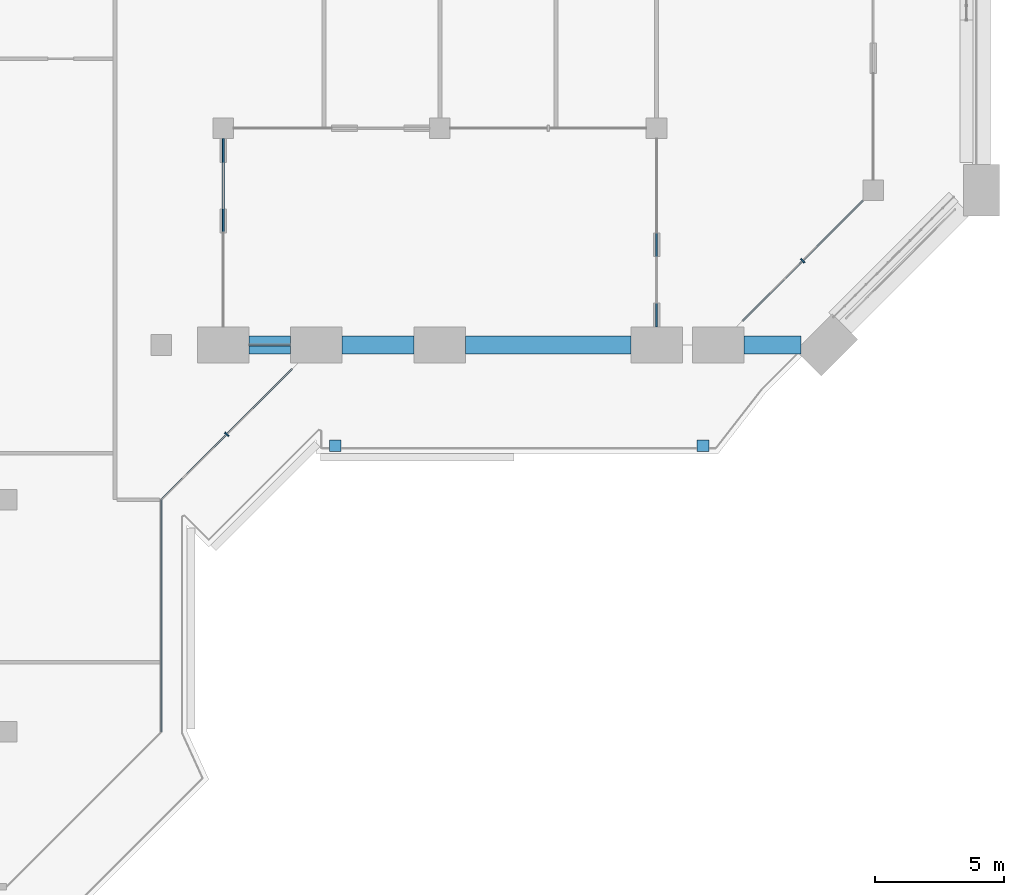
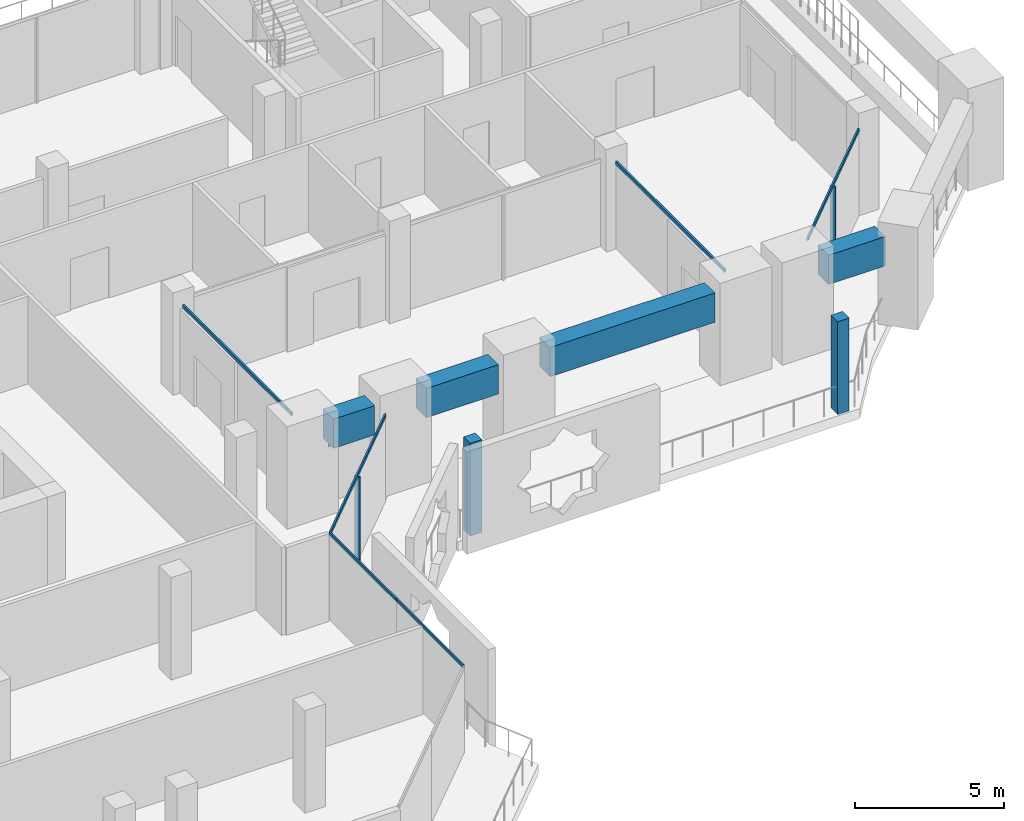
# One storey, part 4 of 20: 11 members, 4 beams, 7 elements without a shape of their own.
"""IFC4 building model written with IfcOpenShell, lengths in metres."""

from ifc_helpers import new_model, si_unit, direction, frame, origin, origin_2d, place, context, subcontext, project, spatial, rectangle, extrude, material, layer, layer_set, material_profile, profile_set, type_object, element, aggregate, save


model = new_model("IFC4")

# Units and contexts
model_context = context("Model", 3, precision=1e-05, world=origin(), true_north=direction((0.0, 1.0)))
body_context = subcontext(model_context, "Body", "Model", "MODEL_VIEW")
ifc_project = project(units=[si_unit("LENGTHUNIT", "METRE"), si_unit("AREAUNIT", "SQUARE_METRE"), si_unit("VOLUMEUNIT", "CUBIC_METRE"), si_unit("PLANEANGLEUNIT", "RADIAN"), si_unit("MASSUNIT", "GRAM", prefix="KILO")], contexts=[model_context])

# Site, building, storey
site_placement = place(None, origin())
site = spatial("IfcSite", under=ifc_project, at=site_placement, CompositionType="ELEMENT")
building_placement = place(site_placement, origin())
building = spatial("IfcBuilding", under=site, at=building_placement, Name="Kawkab Arch Medical Tower", CompositionType="ELEMENT")
storey_placement = place(building_placement, frame((0.0, 0.0, 277.60009765625)))
storey = spatial("IfcBuildingStorey", under=building, at=storey_placement, Name="L64", CompositionType="ELEMENT", Elevation=277.60009765625)

# Curtain wall, members
ifc_material_1 = material(Name="Bronze anodised aluminium curtain wall frame", Category="aluminium")
ifc_layer_1 = layer(ifc_material_1, 0.159912109375)
ifc_layer_set_1 = layer_set([ifc_layer_1], Name="Bronze anodised aluminium curtain wall frame")
curtain_wall_type_1 = type_object("IfcCurtainWallType", Name="CW1 ward curtain wall", PredefinedType="NOTDEFINED", material=ifc_layer_set_1)
placement = place(storey_placement, origin())
curtain_wall_1 = element("IfcCurtainWall", 1, at=placement, inside=storey, type_object=curtain_wall_type_1, Name="CW1 Ward curtain wall R16", PredefinedType="NOTDEFINED")
ifc_material_2 = material(Name="Bronze anodised aluminium curtain wall frame", Category="aluminium")
ifc_material_profile_1 = material_profile(ifc_material_2, rectangle(XDim=0.06005859375, YDim=0.1201171875, at=origin_2d()), Name="AL 60x120")
ifc_profile_set_1 = profile_set([ifc_material_profile_1], Name="Bronze anodised aluminium curtain wall frame")
member_type_1 = type_object("IfcMemberType", Name="CW1 transom 120 x 60", PredefinedType="USERDEFINED", material=ifc_profile_set_1)
member_1_placement = place(storey_placement, frame((31.199951171875, -40.199951171875, 3.539794921875), z_axis=(0.0, 1.0, 0.0), x_axis=(-1.0, 0.0, 0.0)))
member_1 = element("IfcMember", 2, at=member_1_placement, type_object=member_type_1, Name="CW1 transom 1", ObjectType="TRANSOM", PredefinedType="USERDEFINED", context=body_context, shape_type="SweptSolid", body=[
    extrude(rectangle(XDim=0.06005859375, YDim=0.1201171875, at=origin_2d()), origin(), (0.0, 0.0, 1.0), 4.5),
])
member_2_placement = place(storey_placement, frame((31.199951171875, -35.699951171875, 3.539794921875), z_axis=(0.0, 1.0, 0.0), x_axis=(-1.0, 0.0, 0.0)))
member_2 = element("IfcMember", 3, at=member_2_placement, type_object=member_type_1, Name="CW1 transom 2", ObjectType="TRANSOM", PredefinedType="USERDEFINED", context=body_context, shape_type="SweptSolid", body=[
    extrude(rectangle(XDim=0.06005859375, YDim=0.1201171875, at=origin_2d()), origin(), (0.0, 0.0, 1.0), 4.5),
])
aggregate(curtain_wall_1, [member_1, member_2])

# Curtain wall, member
ifc_material_3 = material(Name="Bronze anodised aluminium curtain wall frame", Category="aluminium")
ifc_layer_2 = layer(ifc_material_3, 0.159912109375)
ifc_layer_set_2 = layer_set([ifc_layer_2], Name="Bronze anodised aluminium curtain wall frame")
curtain_wall_type_2 = type_object("IfcCurtainWallType", Name="CW2 chamfer curtain wall", PredefinedType="NOTDEFINED", material=ifc_layer_set_2)
curtain_wall_2 = element("IfcCurtainWall", 4, at=placement, inside=storey, type_object=curtain_wall_type_2, Name="CW2 Chamfer curtain wall R01", PredefinedType="NOTDEFINED")
ifc_material_4 = material(Name="Bronze anodised aluminium curtain wall frame", Category="aluminium")
ifc_material_profile_2 = material_profile(ifc_material_4, rectangle(XDim=0.199951171875, YDim=0.06005859375, at=origin_2d()), Name="AL 60x200")
ifc_profile_set_2 = profile_set([ifc_material_profile_2], Name="Bronze anodised aluminium curtain wall frame")
member_type_2 = type_object("IfcMemberType", Name="CW2 mullion 60 x 200", PredefinedType="MULLION", material=ifc_profile_set_2)
member_3_placement = place(storey_placement, frame((33.73486328125, -28.665283203125, 0.0), z_axis=(0.0, 0.0, 1.0), x_axis=(-0.707106781187, 0.707106781187, 0.0)))
member_3 = element("IfcMember", 5, at=member_3_placement, type_object=member_type_2, Name="CW2 mullion 1.1", PredefinedType="MULLION", context=body_context, shape_type="SweptSolid", body=[
    extrude(rectangle(XDim=0.199951171875, YDim=0.06005859375, at=origin_2d()), origin(), (0.0, 0.0, 1.0), 3.4599609375),
])

curtain_wall_3 = element("IfcCurtainWall", 6, at=placement, inside=storey, type_object=curtain_wall_type_2, Name="CW2 Chamfer curtain wall R07", PredefinedType="NOTDEFINED")
member_4_placement = place(storey_placement, frame((56.065185546875, -21.934814453125, 0.0), z_axis=(0.0, 0.0, 1.0), x_axis=(-0.707106781187, 0.707106781187, 0.0)))
member_4 = element("IfcMember", 7, at=member_4_placement, type_object=member_type_2, Name="CW2 mullion 1.1", PredefinedType="MULLION", context=body_context, shape_type="SweptSolid", body=[
    extrude(rectangle(XDim=0.199951171875, YDim=0.06005859375, at=origin_2d()), origin(), (0.0, 0.0, 1.0), 3.4599609375),
])

# Member
ifc_material_5 = material(Name="Bronze anodised aluminium curtain wall frame", Category="aluminium")
ifc_material_profile_3 = material_profile(ifc_material_5, rectangle(XDim=0.06005859375, YDim=0.139892578125, at=origin_2d()), Name="AL 60x140")
ifc_profile_set_3 = profile_set([ifc_material_profile_3], Name="Bronze anodised aluminium curtain wall frame")
member_type_3 = type_object("IfcMemberType", Name="CW2 transom 140 x 60", PredefinedType="USERDEFINED", material=ifc_profile_set_3)
member_5_placement = place(storey_placement, frame((31.199951171875, -31.199951171875, 3.52978515625), z_axis=(0.707123806981, 0.707089754982, 0.0), x_axis=(-0.707089754982, 0.707123806981, 0.0)))
member_5 = element("IfcMember", 8, at=member_5_placement, type_object=member_type_3, Name="CW2 transom 1", ObjectType="TRANSOM", PredefinedType="USERDEFINED", context=body_context, shape_type="SweptSolid", body=[
    extrude(rectangle(XDim=0.06005859375, YDim=0.139892578125, at=origin_2d()), origin(), (0.0, 0.0, 1.0), 7.169677734375),
])

aggregate(curtain_wall_2, [member_5, member_3])

member_6_placement = place(storey_placement, frame((53.730224609375, -24.269775390625, 3.52978515625), z_axis=(0.707106781187, 0.707106781187, 0.0), x_axis=(-0.707106781187, 0.707106781187, 0.0)))
member_6 = element("IfcMember", 9, at=member_6_placement, type_object=member_type_3, Name="CW2 transom 1", ObjectType="TRANSOM", PredefinedType="USERDEFINED", context=body_context, shape_type="SweptSolid", body=[
    extrude(rectangle(XDim=0.06005859375, YDim=0.139892578125, at=origin_2d()), origin(), (0.0, 0.0, 1.0), 6.60400390625),
])

aggregate(curtain_wall_3, [member_6, member_4])

# Curtain wall, member
ifc_material_6 = material(Name="Bronze anodised aluminium curtain wall frame", Category="aluminium")
ifc_layer_3 = layer(ifc_material_6, 0.159912109375)
ifc_layer_set_3 = layer_set([ifc_layer_3], Name="Bronze anodised aluminium curtain wall frame")
curtain_wall_type_3 = type_object("IfcCurtainWallType", Name="CW3 sky garden curtain wall", PredefinedType="NOTDEFINED", material=ifc_layer_set_3)
curtain_wall_4 = element("IfcCurtainWall", 10, at=placement, inside=storey, type_object=curtain_wall_type_3, Name="CW3 Sky garden curtain wall R02", PredefinedType="NOTDEFINED")
ifc_material_7 = material(Name="Bronze anodised aluminium curtain wall frame", Category="aluminium")
ifc_material_profile_4 = material_profile(ifc_material_7, rectangle(XDim=0.070068359375, YDim=0.139892578125, at=origin_2d()), Name="AL 70x140")
ifc_profile_set_4 = profile_set([ifc_material_profile_4], Name="Bronze anodised aluminium curtain wall frame")
member_type_4 = type_object("IfcMemberType", Name="CW3 transom 140 x 70", PredefinedType="USERDEFINED", material=ifc_profile_set_4)
member_7_placement = place(storey_placement, frame((36.199951171875, -25.199951171875, 2.329833984375), z_axis=(-1.0, 0.0, 0.0), x_axis=(0.0, -1.0, 0.0)))
member_7 = element("IfcMember", 11, at=member_7_placement, type_object=member_type_4, Name="CW3 transom 1", ObjectType="TRANSOM", PredefinedType="USERDEFINED", context=body_context, shape_type="SweptSolid", body=[
    extrude(rectangle(XDim=0.070068359375, YDim=0.139892578125, at=origin_2d()), origin(), (0.0, 0.0, 1.0), 1.599853515625),
])
aggregate(curtain_wall_4, [member_7])

curtain_wall_5 = element("IfcCurtainWall", 12, at=placement, inside=storey, type_object=curtain_wall_type_3, Name="CW3 Sky garden curtain wall R03", PredefinedType="NOTDEFINED")
member_8_placement = place(storey_placement, frame((33.60009765625, -24.5, 3.52978515625), z_axis=(0.0, 1.0, 0.0), x_axis=(-1.0, 0.0, 0.0)))
member_8 = element("IfcMember", 13, at=member_8_placement, type_object=member_type_4, Name="CW3 transom 1", ObjectType="TRANSOM", PredefinedType="USERDEFINED", context=body_context, shape_type="SweptSolid", body=[
    extrude(rectangle(XDim=0.070068359375, YDim=0.139892578125, at=origin_2d()), origin(), (0.0, 0.0, 1.0), 7.300048828125),
])
aggregate(curtain_wall_5, [member_8])

curtain_wall_6 = element("IfcCurtainWall", 14, at=placement, inside=storey, type_object=curtain_wall_type_3, Name="CW3 Sky garden curtain wall R05", PredefinedType="NOTDEFINED")
member_9_placement = place(storey_placement, frame((50.39990234375, -17.199951171875, 3.52978515625), z_axis=(0.0, -1.0, 0.0), x_axis=(1.0, 0.0, 0.0)))
member_9 = element("IfcMember", 15, at=member_9_placement, type_object=member_type_4, Name="CW3 transom 1", ObjectType="TRANSOM", PredefinedType="USERDEFINED", context=body_context, shape_type="SweptSolid", body=[
    extrude(rectangle(XDim=0.070068359375, YDim=0.139892578125, at=origin_2d()), origin(), (0.0, 0.0, 1.0), 7.300048828125),
])
aggregate(curtain_wall_6, [member_9])

# Curtain wall, members
ifc_material_8 = material(Name="Bronze anodised aluminium climber frame, planted", Category="aluminium")
ifc_layer_4 = layer(ifc_material_8, 0.449951171875)
ifc_layer_set_4 = layer_set([ifc_layer_4], Name="Bronze anodised aluminium climber frame, planted")
curtain_wall_type_4 = type_object("IfcCurtainWallType", Name="Planted climber frame", PredefinedType="NOTDEFINED", material=ifc_layer_set_4)
curtain_wall_7 = element("IfcCurtainWall", 16, at=placement, inside=storey, type_object=curtain_wall_type_4, Name="Planted climber frame L64", PredefinedType="NOTDEFINED")
ifc_material_9 = material(Name="Bronze anodised aluminium climber frame, planted", Category="aluminium")
ifc_material_profile_5 = material_profile(ifc_material_9, rectangle(XDim=0.449951171875, YDim=0.449951171875, at=origin_2d()), Name="Post 450x450")
ifc_profile_set_5 = profile_set([ifc_material_profile_5], Name="Bronze anodised aluminium climber frame, planted")
member_type_5 = type_object("IfcMemberType", Name="Planted climber post 450 x 450", PredefinedType="MULLION", material=ifc_profile_set_5)
member_10_placement = place(storey_placement, frame((52.202880859375, -29.10009765625, 0.0), z_axis=(0.0, 0.0, 1.0), x_axis=(1.0, 0.0, 0.0)))
member_10 = element("IfcMember", 17, at=member_10_placement, type_object=member_type_5, Name="Planted climber post L64.LOG-01-01.1", PredefinedType="MULLION", context=body_context, shape_type="SweptSolid", body=[
    extrude(rectangle(XDim=0.449951171875, YDim=0.449951171875, at=origin_2d()), origin(), (0.0, 0.0, 1.0), 3.7998046875),
])
member_11_placement = place(storey_placement, frame((37.949951171875, -29.10009765625, 0.0), z_axis=(0.0, 0.0, 1.0), x_axis=(1.0, 0.0, 0.0)))
member_11 = element("IfcMember", 18, at=member_11_placement, type_object=member_type_5, Name="Planted climber post L64.LOG-01-01.2", PredefinedType="MULLION", context=body_context, shape_type="SweptSolid", body=[
    extrude(rectangle(XDim=0.449951171875, YDim=0.449951171875, at=origin_2d()), origin(), (0.0, 0.0, 1.0), 3.7998046875),
])
aggregate(curtain_wall_7, [member_10, member_11])

# Beams
ifc_material_10 = material(Name="Concrete C40/50", Category="concrete")
ifc_material_profile_6 = material_profile(ifc_material_10, rectangle(XDim=0.699951171875, YDim=1.199951171875, at=origin_2d()), Name="RC 700x1200")
ifc_profile_set_6 = profile_set([ifc_material_profile_6], Name="Concrete C40/50")
beam_type = type_object("IfcBeamType", Name="RC 700x1200 beam C40/50", PredefinedType="BEAM", material=ifc_profile_set_6)
beam_1_placement = place(storey_placement, frame((49.39990234375, -25.199951171875, 3.0), z_axis=(-1.0, 0.0, 0.0), x_axis=(0.0, -1.0, 0.0)))
element("IfcBeam", 19, at=beam_1_placement, inside=storey, type_object=beam_type, Name="Terrace frame beam TF-L64-1-L65-01", PredefinedType="BEAM", context=body_context, shape_type="SweptSolid", body=[
    extrude(rectangle(XDim=0.699951171875, YDim=1.199951171875, at=origin_2d()), origin(), (0.0, 0.0, 1.0), 6.39990234375),
])
beam_2_placement = place(storey_placement, frame((41.0, -25.199951171875, 3.0), z_axis=(-1.0, 0.0, 0.0), x_axis=(0.0, -1.0, 0.0)))
element("IfcBeam", 20, at=beam_2_placement, inside=storey, type_object=beam_type, Name="Terrace frame beam TF-L64-1-L65-02", PredefinedType="BEAM", context=body_context, shape_type="SweptSolid", body=[
    extrude(rectangle(XDim=0.699951171875, YDim=1.199951171875, at=origin_2d()), origin(), (0.0, 0.0, 1.0), 2.800048828125),
])
beam_3_placement = place(storey_placement, frame((36.199951171875, -25.199951171875, 3.0), z_axis=(-1.0, 0.0, 0.0), x_axis=(0.0, -1.0, 0.0)))
element("IfcBeam", 21, at=beam_3_placement, inside=storey, type_object=beam_type, Name="Terrace frame beam TF-L64-1-L65-03", PredefinedType="BEAM", context=body_context, shape_type="SweptSolid", body=[
    extrude(rectangle(XDim=0.699951171875, YDim=1.199951171875, at=origin_2d()), origin(), (0.0, 0.0, 1.0), 1.599853515625),
])
beam_4_placement = place(storey_placement, frame((56.010009765625, -25.199951171875, 3.0), z_axis=(-1.0, 0.0, 0.0), x_axis=(0.0, -1.0, 0.0)))
element("IfcBeam", 22, at=beam_4_placement, inside=storey, type_object=beam_type, Name="Terrace frame beam TF-L64-2-L65-05", PredefinedType="BEAM", context=body_context, shape_type="SweptSolid", body=[
    extrude(rectangle(XDim=0.699951171875, YDim=1.199951171875, at=origin_2d()), origin(), (0.0, 0.0, 1.0), 2.2099609375),
])

save(model, "model.ifc")
